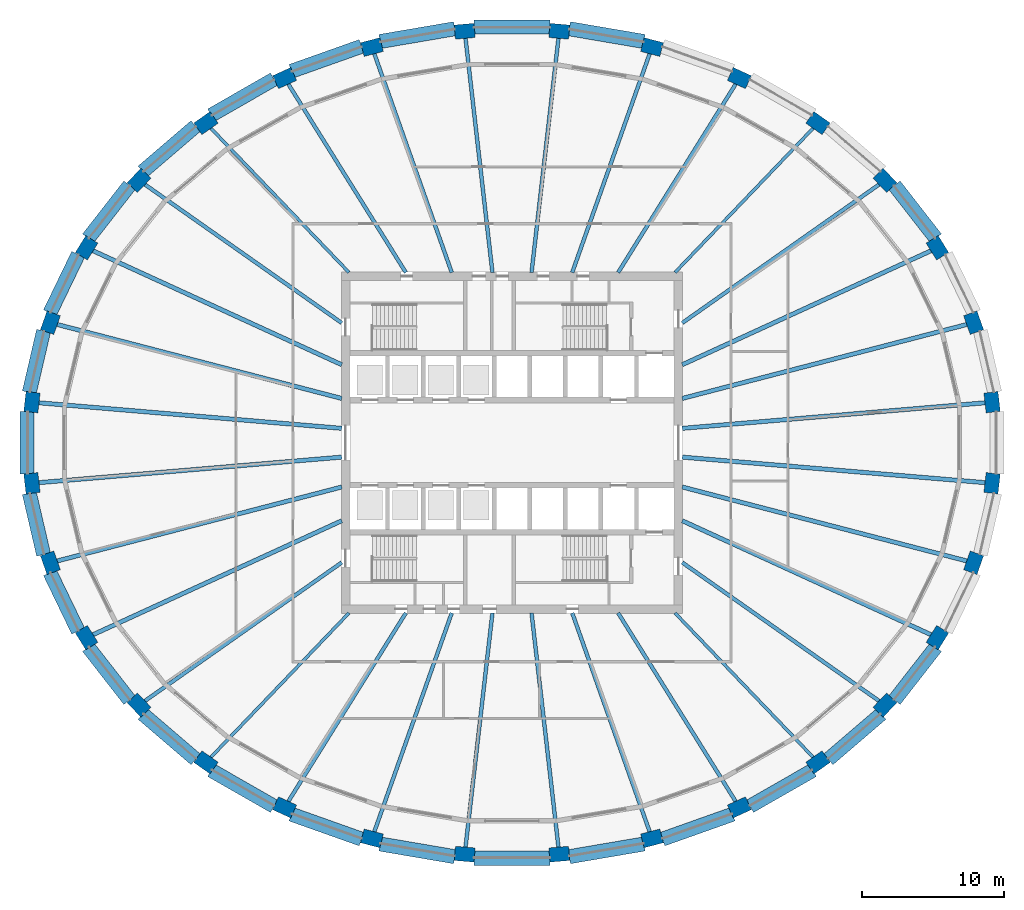
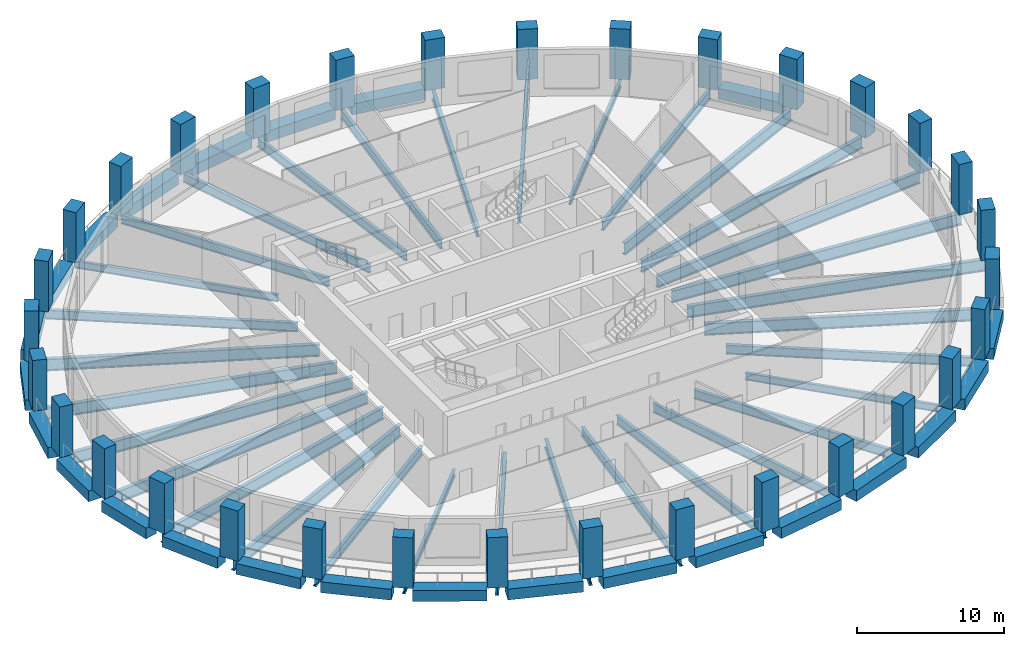
# One storey, part 1 of 11: 56 beams, 32 columns.
"""IFC4 building model written with IfcOpenShell, lengths in metres."""

from ifc_helpers import new_model, si_unit, direction, frame, origin, origin_2d, place, context, subcontext, project, spatial, rectangle, i_section, extrude, material, material_profile, profile_set, type_object, element, save


model = new_model("IFC4")

# Units and contexts
model_context = context("Model", 3, precision=1e-05, world=origin(), true_north=direction((0.0, 1.0)))
body_context = subcontext(model_context, "Body", "Model", "MODEL_VIEW")
ifc_project = project(units=[si_unit("LENGTHUNIT", "METRE"), si_unit("AREAUNIT", "SQUARE_METRE"), si_unit("VOLUMEUNIT", "CUBIC_METRE"), si_unit("PLANEANGLEUNIT", "RADIAN"), si_unit("MASSUNIT", "GRAM", prefix="KILO")], contexts=[model_context])

# Site, building, storey
site_placement = place(None, origin())
site = spatial("IfcSite", under=ifc_project, at=site_placement, CompositionType="ELEMENT")
building_placement = place(site_placement, origin())
building = spatial("IfcBuilding", under=site, at=building_placement, Name="Halqa Exchange Tower", CompositionType="ELEMENT")
storey_placement = place(building_placement, frame((0.0, 0.0, 150.699951171875)))
storey = spatial("IfcBuildingStorey", under=building, at=storey_placement, Name="L34", CompositionType="ELEMENT", Elevation=150.699951171875)

# Columns
ifc_material_1 = material(Name="Concrete C70/85", Category="concrete")
ifc_material_profile_1 = material_profile(ifc_material_1, rectangle(XDim=1.39990234375, YDim=1.0, at=origin_2d()), Name="1400 x 1000")
ifc_profile_set_1 = profile_set([ifc_material_profile_1], Name="Concrete C70/85")
column_type = type_object("IfcColumnType", Name="RC ring column 1400 x 1000 C70/85", PredefinedType="COLUMN", material=ifc_profile_set_1)
for number, where, z_axis, x_axis, name in (
    (1, (33.7578125, 2.849853515625, 0.0), (0.0, 0.0, 1.0), (-0.114155188058, 0.993462929877, 0.0), "Ring column 1"),
    (2, (32.46044921875, 8.440185546875, 0.0), (0.0, 0.0, 1.0), (-0.333634105554, 0.942702648565, 0.0), "Ring column 2"),
    (3, (29.915771484375, 13.7060546875, 0.0), (0.0, 0.0, 1.0), (-0.529143458197, 0.848532380435, 0.0), "Ring column 3"),
    (4, (26.221435546875, 18.445068359375, 0.0), (0.0, 0.0, 1.0), (-0.691578612608, 0.722301199351, 0.0), "Ring column 4"),
    (5, (21.519287109375, 22.475341796875, 0.0), (0.0, 0.0, 1.0), (-0.817910796357, 0.575345052297, 0.0), "Ring column 5"),
    (6, (15.990234375, 25.64208984375, 0.0), (0.0, 0.0, 1.0), (-0.909126368869, 0.416520402174, 0.0), "Ring column 6"),
    (7, (9.8466796875, 27.8232421875, 0.0), (0.0, 0.0, 1.0), (-0.967819503571, 0.251645402317, 0.0), "Ring column 7"),
    (8, (3.32470703125, 28.935302734375, 0.0), (0.0, 0.0, 1.0), (-0.996455225341, 0.084124811391, 0.0), "Ring column 8"),
    (9, (-3.32470703125, 28.935302734375, 0.0), (0.0, 0.0, 1.0), (-0.996455225341, -0.084124811391, 0.0), "Ring column 9"),
    (10, (-9.8466796875, 27.8232421875, 0.0), (0.0, 0.0, 1.0), (-0.967819503571, -0.251645402317, 0.0), "Ring column 10"),
    (11, (-15.990234375, 25.64208984375, 0.0), (0.0, 0.0, 1.0), (-0.909126368869, -0.416520402174, 0.0), "Ring column 11"),
    (12, (-21.519287109375, 22.475341796875, 0.0), (0.0, 0.0, 1.0), (-0.817910796357, -0.575345052297, 0.0), "Ring column 12"),
    (13, (-26.221435546875, 18.445068359375, 0.0), (0.0, 0.0, 1.0), (-0.691578612608, -0.722301199351, 0.0), "Ring column 13"),
    (14, (-29.915771484375, 13.7060546875, 0.0), (0.0, 0.0, 1.0), (-0.529143458197, -0.848532380435, 0.0), "Ring column 14"),
    (15, (-32.46044921875, 8.440185546875, 0.0), (0.0, 0.0, 1.0), (-0.333634105554, -0.942702648565, 0.0), "Ring column 15"),
    (16, (-33.7578125, 2.849853515625, 0.0), (0.0, 0.0, 1.0), (-0.114155188058, -0.993462929877, 0.0), "Ring column 16"),
    (17, (-33.7578125, -2.849853515625, 0.0), (0.0, 0.0, 1.0), (0.114155188058, -0.993462929877, 0.0), "Ring column 17"),
    (18, (-32.46044921875, -8.440185546875, 0.0), (0.0, 0.0, 1.0), (0.333634105554, -0.942702648565, 0.0), "Ring column 18"),
    (19, (-29.915771484375, -13.7060546875, 0.0), (0.0, 0.0, 1.0), (0.529143458197, -0.848532380435, 0.0), "Ring column 19"),
    (20, (-26.221435546875, -18.445068359375, 0.0), (0.0, 0.0, 1.0), (0.691578612608, -0.722301199351, 0.0), "Ring column 20"),
    (21, (-21.519287109375, -22.475341796875, 0.0), (0.0, 0.0, 1.0), (0.817910796357, -0.575345052297, 0.0), "Ring column 21"),
    (22, (-15.990234375, -25.64208984375, 0.0), (0.0, 0.0, 1.0), (0.909126368869, -0.416520402174, 0.0), "Ring column 22"),
    (23, (-9.8466796875, -27.8232421875, 0.0), (0.0, 0.0, 1.0), (0.967819503571, -0.251645402317, 0.0), "Ring column 23"),
    (24, (-3.32470703125, -28.935302734375, 0.0), (0.0, 0.0, 1.0), (0.996455225341, -0.084124811391, 0.0), "Ring column 24"),
    (25, (3.32470703125, -28.935302734375, 0.0), (0.0, 0.0, 1.0), (0.996455225341, 0.084124811391, 0.0), "Ring column 25"),
    (26, (9.8466796875, -27.8232421875, 0.0), (0.0, 0.0, 1.0), (0.967819503571, 0.251645402317, 0.0), "Ring column 26"),
    (27, (15.990234375, -25.64208984375, 0.0), (0.0, 0.0, 1.0), (0.909126368869, 0.416520402174, 0.0), "Ring column 27"),
    (28, (21.519287109375, -22.475341796875, 0.0), (0.0, 0.0, 1.0), (0.817910796357, 0.575345052297, 0.0), "Ring column 28"),
    (29, (26.221435546875, -18.445068359375, 0.0), (0.0, 0.0, 1.0), (0.691578612608, 0.722301199351, 0.0), "Ring column 29"),
    (30, (29.915771484375, -13.7060546875, 0.0), (0.0, 0.0, 1.0), (0.529143458197, 0.848532380435, 0.0), "Ring column 30"),
    (31, (32.46044921875, -8.440185546875, 0.0), (0.0, 0.0, 1.0), (0.333634105554, 0.942702648565, 0.0), "Ring column 31"),
    (32, (33.7578125, -2.849853515625, 0.0), (0.0, 0.0, 1.0), (0.114155188058, 0.993462929877, 0.0), "Ring column 32"),
):
    element("IfcColumn", number, at=place(storey_placement, frame(where, z_axis=z_axis, x_axis=x_axis)), inside=storey, type_object=column_type, Name=name, PredefinedType="COLUMN", context=body_context, shape_type="SweptSolid", body=[
        extrude(rectangle(XDim=1.39990234375, YDim=1.0, at=origin_2d()), origin(), (0.0, 0.0, 1.0), 4.199951171875),
    ])

# Beams
ifc_material_2 = material(Name="Steel S355", Category="steel")
ifc_material_profile_2 = material_profile(ifc_material_2, i_section(OverallWidth=0.300048828125, OverallDepth=0.989990234375, WebThickness=0.0166015625, FlangeThickness=0.031005859375, FilletRadius=0.030029296875, at=origin_2d()), Name="HEA 1000")
ifc_profile_set_2 = profile_set([ifc_material_profile_2], Name="Steel S355")
beam_type_1 = type_object("IfcBeamType", Name="Floor beam HEA 1000", PredefinedType="BEAM", material=ifc_profile_set_2)
beam_1_placement = place(storey_placement, frame((11.972412109375, 1.0107421875, -0.794921875), z_axis=(0.996455173749, 0.084125422484, 0.0), x_axis=(-0.084125422484, 0.996455173749, 0.0)))
element("IfcBeam", 33, at=beam_1_placement, inside=storey, type_object=beam_type_1, Name="Radial beam 1", PredefinedType="BEAM", context=body_context, shape_type="SweptSolid", body=[
    extrude(i_section(OverallWidth=0.300048828125, OverallDepth=0.989990234375, WebThickness=0.0166015625, FlangeThickness=0.031005859375, FilletRadius=0.030029296875, at=origin_2d()), origin(), (0.0, 0.0, 1.0), 21.83251953125),
])
beam_2_placement = place(storey_placement, frame((11.97119140625, 3.11279296875, -0.794921875), z_axis=(0.967820593748, 0.251641209498, 0.0), x_axis=(-0.251641209498, 0.967820593748, 0.0)))
element("IfcBeam", 34, at=beam_2_placement, inside=storey, type_object=beam_type_1, Name="Radial beam 2", PredefinedType="BEAM", context=body_context, shape_type="SweptSolid", body=[
    extrude(i_section(OverallWidth=0.300048828125, OverallDepth=0.989990234375, WebThickness=0.0166015625, FlangeThickness=0.031005859375, FilletRadius=0.030029296875, at=origin_2d()), origin(), (0.0, 0.0, 1.0), 21.134765625),
])
for number, where, z_axis, x_axis, name in (
    (35, (11.972412109375, 5.485107421875, -0.794921875), (0.909126053859, 0.416521089737, 0.0), (-0.416521089737, 0.909126053859, 0.0), "Radial beam 3"),
    (36, (-11.972412109375, 5.485107421875, -0.794921875), (-0.909126053859, 0.416521089737, 0.0), (-0.416521089737, -0.909126053859, 0.0), "Radial beam 14"),
):
    element("IfcBeam", number, at=place(storey_placement, frame(where, z_axis=z_axis, x_axis=x_axis)), inside=storey, type_object=beam_type_1, Name=name, PredefinedType="BEAM", context=body_context, shape_type="SweptSolid", body=[
        extrude(i_section(OverallWidth=0.300048828125, OverallDepth=0.989990234375, WebThickness=0.0166015625, FlangeThickness=0.031005859375, FilletRadius=0.030029296875, at=origin_2d()), origin(), (0.0, 0.0, 1.0), 19.692626953125),
    ])
beam_3_placement = place(storey_placement, frame((-11.97119140625, 3.11279296875, -0.794921875), z_axis=(-0.967820593748, 0.251641209498, 0.0), x_axis=(-0.251641209498, -0.967820593748, 0.0)))
element("IfcBeam", 37, at=beam_3_placement, inside=storey, type_object=beam_type_1, Name="Radial beam 15", PredefinedType="BEAM", context=body_context, shape_type="SweptSolid", body=[
    extrude(i_section(OverallWidth=0.300048828125, OverallDepth=0.989990234375, WebThickness=0.0166015625, FlangeThickness=0.031005859375, FilletRadius=0.030029296875, at=origin_2d()), origin(), (0.0, 0.0, 1.0), 21.134765625),
])
for number, where, z_axis, x_axis, name in (
    (38, (-11.972412109375, 1.0107421875, -0.794921875), (-0.996455173749, 0.084125422484, 0.0), (-0.084125422484, -0.996455173749, 0.0), "Radial beam 16"),
    (39, (-11.972412109375, -1.0107421875, -0.794921875), (-0.996455173749, -0.084125422484, 0.0), (0.084125422484, -0.996455173749, 0.0), "Radial beam 17"),
):
    element("IfcBeam", number, at=place(storey_placement, frame(where, z_axis=z_axis, x_axis=x_axis)), inside=storey, type_object=beam_type_1, Name=name, PredefinedType="BEAM", context=body_context, shape_type="SweptSolid", body=[
        extrude(i_section(OverallWidth=0.300048828125, OverallDepth=0.989990234375, WebThickness=0.0166015625, FlangeThickness=0.031005859375, FilletRadius=0.030029296875, at=origin_2d()), origin(), (0.0, 0.0, 1.0), 21.83251953125),
    ])
beam_4_placement = place(storey_placement, frame((-11.97119140625, -3.11279296875, -0.794921875), z_axis=(-0.967820593748, -0.251641209498, 0.0), x_axis=(0.251641209498, -0.967820593748, 0.0)))
element("IfcBeam", 40, at=beam_4_placement, inside=storey, type_object=beam_type_1, Name="Radial beam 18", PredefinedType="BEAM", context=body_context, shape_type="SweptSolid", body=[
    extrude(i_section(OverallWidth=0.300048828125, OverallDepth=0.989990234375, WebThickness=0.0166015625, FlangeThickness=0.031005859375, FilletRadius=0.030029296875, at=origin_2d()), origin(), (0.0, 0.0, 1.0), 21.134765625),
])
for number, where, z_axis, x_axis, name in (
    (41, (-11.972412109375, -5.485107421875, -0.794921875), (-0.909126053859, -0.416521089737, 0.0), (0.416521089737, -0.909126053859, 0.0), "Radial beam 19"),
    (42, (11.972412109375, -5.485107421875, -0.794921875), (0.909126053859, -0.416521089737, 0.0), (0.416521089737, 0.909126053859, 0.0), "Radial beam 30"),
):
    element("IfcBeam", number, at=place(storey_placement, frame(where, z_axis=z_axis, x_axis=x_axis)), inside=storey, type_object=beam_type_1, Name=name, PredefinedType="BEAM", context=body_context, shape_type="SweptSolid", body=[
        extrude(i_section(OverallWidth=0.300048828125, OverallDepth=0.989990234375, WebThickness=0.0166015625, FlangeThickness=0.031005859375, FilletRadius=0.030029296875, at=origin_2d()), origin(), (0.0, 0.0, 1.0), 19.692626953125),
    ])
beam_5_placement = place(storey_placement, frame((11.97119140625, -3.11279296875, -0.794921875), z_axis=(0.967820593748, -0.251641209498, 0.0), x_axis=(0.251641209498, 0.967820593748, 0.0)))
element("IfcBeam", 43, at=beam_5_placement, inside=storey, type_object=beam_type_1, Name="Radial beam 31", PredefinedType="BEAM", context=body_context, shape_type="SweptSolid", body=[
    extrude(i_section(OverallWidth=0.300048828125, OverallDepth=0.989990234375, WebThickness=0.0166015625, FlangeThickness=0.031005859375, FilletRadius=0.030029296875, at=origin_2d()), origin(), (0.0, 0.0, 1.0), 21.134765625),
])
beam_6_placement = place(storey_placement, frame((11.972412109375, -1.0107421875, -0.794921875), z_axis=(0.996455173749, -0.084125422484, 0.0), x_axis=(0.084125422484, 0.996455173749, 0.0)))
element("IfcBeam", 44, at=beam_6_placement, inside=storey, type_object=beam_type_1, Name="Radial beam 32", PredefinedType="BEAM", context=body_context, shape_type="SweptSolid", body=[
    extrude(i_section(OverallWidth=0.300048828125, OverallDepth=0.989990234375, WebThickness=0.0166015625, FlangeThickness=0.031005859375, FilletRadius=0.030029296875, at=origin_2d()), origin(), (0.0, 0.0, 1.0), 21.83251953125),
])
ifc_material_profile_3 = material_profile(ifc_material_2, i_section(OverallWidth=0.219970703125, OverallDepth=0.60009765625, WebThickness=0.011962890625, FlangeThickness=0.01904296875, FilletRadius=0.02392578125, at=origin_2d()), Name="IPE 600")
ifc_profile_set_3 = profile_set([ifc_material_profile_3], Name="Steel S355")
beam_type_2 = type_object("IfcBeamType", Name="Floor beam IPE 600", PredefinedType="BEAM", material=ifc_profile_set_3)
for number, where, z_axis, x_axis, name in (
    (45, (11.463134765625, 11.972412109375, -0.599853515625), (0.69157018889, 0.722309264677, 0.0), (-0.722309264677, 0.69157018889, 0.0), "Radial beam 5"),
    (46, (-11.463134765625, 11.972412109375, -0.599853515625), (-0.69157018889, 0.722309264677, 0.0), (-0.722309264677, -0.69157018889, 0.0), "Radial beam 12"),
    (47, (-11.463134765625, -11.972412109375, -0.599853515625), (-0.69157018889, -0.722309264677, 0.0), (0.722309264677, -0.69157018889, 0.0), "Radial beam 21"),
    (48, (11.463134765625, -11.972412109375, -0.599853515625), (0.69157018889, -0.722309264677, 0.0), (0.722309264677, 0.69157018889, 0.0), "Radial beam 28"),
):
    element("IfcBeam", number, at=place(storey_placement, frame(where, z_axis=z_axis, x_axis=x_axis)), inside=storey, type_object=beam_type_2, Name=name, PredefinedType="BEAM", context=body_context, shape_type="SweptSolid", body=[
        extrude(i_section(OverallWidth=0.219970703125, OverallDepth=0.60009765625, WebThickness=0.011962890625, FlangeThickness=0.01904296875, FilletRadius=0.02392578125, at=origin_2d()), origin(), (0.0, 0.0, 1.0), 14.47900390625),
    ])
ifc_material_profile_4 = material_profile(ifc_material_2, i_section(OverallWidth=0.264892578125, OverallDepth=0.7529296875, WebThickness=0.01318359375, FlangeThickness=0.01708984375, FilletRadius=0.01708984375, at=origin_2d()), Name="IPE 750x147")
ifc_profile_set_4 = profile_set([ifc_material_profile_4], Name="Steel S355")
beam_type_3 = type_object("IfcBeamType", Name="Floor beam IPE 750x147", PredefinedType="BEAM", material=ifc_profile_set_4)
beam_7_placement = place(storey_placement, frame((11.97216796875, 8.421630859375, -0.676513671875), z_axis=(0.81790637414, 0.575351338872, 0.0), x_axis=(-0.575351338872, 0.81790637414, 0.0)))
element("IfcBeam", 49, at=beam_7_placement, inside=storey, type_object=beam_type_3, Name="Radial beam 4", PredefinedType="BEAM", context=body_context, shape_type="SweptSolid", body=[
    extrude(i_section(OverallWidth=0.264892578125, OverallDepth=0.7529296875, WebThickness=0.01318359375, FlangeThickness=0.01708984375, FilletRadius=0.01708984375, at=origin_2d()), origin(), (0.0, 0.0, 1.0), 17.368896484375),
])
beam_8_placement = place(storey_placement, frame((7.466064453125, 11.972412109375, -0.676513671875), z_axis=(0.52913391478, 0.848538331621, 0.0), x_axis=(-0.848538331621, 0.52913391478, 0.0)))
element("IfcBeam", 50, at=beam_8_placement, inside=storey, type_object=beam_type_3, Name="Radial beam 6", PredefinedType="BEAM", context=body_context, shape_type="SweptSolid", body=[
    extrude(i_section(OverallWidth=0.264892578125, OverallDepth=0.7529296875, WebThickness=0.01318359375, FlangeThickness=0.01708984375, FilletRadius=0.01708984375, at=origin_2d()), origin(), (0.0, 0.0, 1.0), 16.03857421875),
])
beam_9_placement = place(storey_placement, frame((4.23681640625, 11.9716796875, -0.676513671875), z_axis=(0.333628705168, 0.942704559811, 0.0), x_axis=(-0.942704559811, 0.333628705168, 0.0)))
element("IfcBeam", 51, at=beam_9_placement, inside=storey, type_object=beam_type_3, Name="Radial beam 7", PredefinedType="BEAM", context=body_context, shape_type="SweptSolid", body=[
    extrude(i_section(OverallWidth=0.264892578125, OverallDepth=0.7529296875, WebThickness=0.01318359375, FlangeThickness=0.01708984375, FilletRadius=0.01708984375, at=origin_2d()), origin(), (0.0, 0.0, 1.0), 16.738525390625),
])
for number, where, z_axis, x_axis, name in (
    (52, (1.375732421875, 11.972900390625, -0.676513671875), (0.114157917427, 0.993462616251, 0.0), (-0.993462616251, 0.114157917427, 0.0), "Radial beam 8"),
    (53, (-1.375732421875, 11.972900390625, -0.676513671875), (-0.114157917427, 0.993462616251, 0.0), (-0.993462616251, -0.114157917427, 0.0), "Radial beam 9"),
):
    element("IfcBeam", number, at=place(storey_placement, frame(where, z_axis=z_axis, x_axis=x_axis)), inside=storey, type_object=beam_type_3, Name=name, PredefinedType="BEAM", context=body_context, shape_type="SweptSolid", body=[
        extrude(i_section(OverallWidth=0.264892578125, OverallDepth=0.7529296875, WebThickness=0.01318359375, FlangeThickness=0.01708984375, FilletRadius=0.01708984375, at=origin_2d()), origin(), (0.0, 0.0, 1.0), 16.99560546875),
    ])
beam_10_placement = place(storey_placement, frame((-4.23681640625, 11.9716796875, -0.676513671875), z_axis=(-0.333628705168, 0.942704559811, 0.0), x_axis=(-0.942704559811, -0.333628705168, 0.0)))
element("IfcBeam", 54, at=beam_10_placement, inside=storey, type_object=beam_type_3, Name="Radial beam 10", PredefinedType="BEAM", context=body_context, shape_type="SweptSolid", body=[
    extrude(i_section(OverallWidth=0.264892578125, OverallDepth=0.7529296875, WebThickness=0.01318359375, FlangeThickness=0.01708984375, FilletRadius=0.01708984375, at=origin_2d()), origin(), (0.0, 0.0, 1.0), 16.738525390625),
])
beam_11_placement = place(storey_placement, frame((-7.466064453125, 11.972412109375, -0.676513671875), z_axis=(-0.52913391478, 0.848538331621, 0.0), x_axis=(-0.848538331621, -0.52913391478, 0.0)))
element("IfcBeam", 55, at=beam_11_placement, inside=storey, type_object=beam_type_3, Name="Radial beam 11", PredefinedType="BEAM", context=body_context, shape_type="SweptSolid", body=[
    extrude(i_section(OverallWidth=0.264892578125, OverallDepth=0.7529296875, WebThickness=0.01318359375, FlangeThickness=0.01708984375, FilletRadius=0.01708984375, at=origin_2d()), origin(), (0.0, 0.0, 1.0), 16.03857421875),
])
for number, where, z_axis, x_axis, name in (
    (56, (-11.97216796875, 8.421630859375, -0.676513671875), (-0.81790637414, 0.575351338872, 0.0), (-0.575351338872, -0.81790637414, 0.0), "Radial beam 13"),
    (57, (-11.97216796875, -8.421630859375, -0.676513671875), (-0.81790637414, -0.575351338872, 0.0), (0.575351338872, -0.81790637414, 0.0), "Radial beam 20"),
):
    element("IfcBeam", number, at=place(storey_placement, frame(where, z_axis=z_axis, x_axis=x_axis)), inside=storey, type_object=beam_type_3, Name=name, PredefinedType="BEAM", context=body_context, shape_type="SweptSolid", body=[
        extrude(i_section(OverallWidth=0.264892578125, OverallDepth=0.7529296875, WebThickness=0.01318359375, FlangeThickness=0.01708984375, FilletRadius=0.01708984375, at=origin_2d()), origin(), (0.0, 0.0, 1.0), 17.368896484375),
    ])
beam_12_placement = place(storey_placement, frame((-7.466064453125, -11.972412109375, -0.676513671875), z_axis=(-0.52913391478, -0.848538331621, 0.0), x_axis=(0.848538331621, -0.52913391478, 0.0)))
element("IfcBeam", 58, at=beam_12_placement, inside=storey, type_object=beam_type_3, Name="Radial beam 22", PredefinedType="BEAM", context=body_context, shape_type="SweptSolid", body=[
    extrude(i_section(OverallWidth=0.264892578125, OverallDepth=0.7529296875, WebThickness=0.01318359375, FlangeThickness=0.01708984375, FilletRadius=0.01708984375, at=origin_2d()), origin(), (0.0, 0.0, 1.0), 16.03857421875),
])
beam_13_placement = place(storey_placement, frame((-4.23681640625, -11.9716796875, -0.676513671875), z_axis=(-0.333628705168, -0.942704559811, 0.0), x_axis=(0.942704559811, -0.333628705168, 0.0)))
element("IfcBeam", 59, at=beam_13_placement, inside=storey, type_object=beam_type_3, Name="Radial beam 23", PredefinedType="BEAM", context=body_context, shape_type="SweptSolid", body=[
    extrude(i_section(OverallWidth=0.264892578125, OverallDepth=0.7529296875, WebThickness=0.01318359375, FlangeThickness=0.01708984375, FilletRadius=0.01708984375, at=origin_2d()), origin(), (0.0, 0.0, 1.0), 16.738525390625),
])
for number, where, z_axis, x_axis, name in (
    (60, (-1.375732421875, -11.972900390625, -0.676513671875), (-0.114157917427, -0.993462616251, 0.0), (0.993462616251, -0.114157917427, 0.0), "Radial beam 24"),
    (61, (1.375732421875, -11.972900390625, -0.676513671875), (0.114157917427, -0.993462616251, 0.0), (0.993462616251, 0.114157917427, 0.0), "Radial beam 25"),
):
    element("IfcBeam", number, at=place(storey_placement, frame(where, z_axis=z_axis, x_axis=x_axis)), inside=storey, type_object=beam_type_3, Name=name, PredefinedType="BEAM", context=body_context, shape_type="SweptSolid", body=[
        extrude(i_section(OverallWidth=0.264892578125, OverallDepth=0.7529296875, WebThickness=0.01318359375, FlangeThickness=0.01708984375, FilletRadius=0.01708984375, at=origin_2d()), origin(), (0.0, 0.0, 1.0), 16.99560546875),
    ])
beam_14_placement = place(storey_placement, frame((4.23681640625, -11.9716796875, -0.676513671875), z_axis=(0.333628705168, -0.942704559811, 0.0), x_axis=(0.942704559811, 0.333628705168, 0.0)))
element("IfcBeam", 62, at=beam_14_placement, inside=storey, type_object=beam_type_3, Name="Radial beam 26", PredefinedType="BEAM", context=body_context, shape_type="SweptSolid", body=[
    extrude(i_section(OverallWidth=0.264892578125, OverallDepth=0.7529296875, WebThickness=0.01318359375, FlangeThickness=0.01708984375, FilletRadius=0.01708984375, at=origin_2d()), origin(), (0.0, 0.0, 1.0), 16.738525390625),
])
beam_15_placement = place(storey_placement, frame((7.466064453125, -11.972412109375, -0.676513671875), z_axis=(0.52913391478, -0.848538331621, 0.0), x_axis=(0.848538331621, 0.52913391478, 0.0)))
element("IfcBeam", 63, at=beam_15_placement, inside=storey, type_object=beam_type_3, Name="Radial beam 27", PredefinedType="BEAM", context=body_context, shape_type="SweptSolid", body=[
    extrude(i_section(OverallWidth=0.264892578125, OverallDepth=0.7529296875, WebThickness=0.01318359375, FlangeThickness=0.01708984375, FilletRadius=0.01708984375, at=origin_2d()), origin(), (0.0, 0.0, 1.0), 16.03857421875),
])
beam_16_placement = place(storey_placement, frame((11.97216796875, -8.421630859375, -0.676513671875), z_axis=(0.81790637414, -0.575351338872, 0.0), x_axis=(0.575351338872, 0.81790637414, 0.0)))
element("IfcBeam", 64, at=beam_16_placement, inside=storey, type_object=beam_type_3, Name="Radial beam 29", PredefinedType="BEAM", context=body_context, shape_type="SweptSolid", body=[
    extrude(i_section(OverallWidth=0.264892578125, OverallDepth=0.7529296875, WebThickness=0.01318359375, FlangeThickness=0.01708984375, FilletRadius=0.01708984375, at=origin_2d()), origin(), (0.0, 0.0, 1.0), 17.368896484375),
])
ifc_material_3 = material(Name="Concrete C60/75", Category="concrete")
ifc_material_profile_5 = material_profile(ifc_material_3, rectangle(XDim=1.0, YDim=0.89990234375, at=origin_2d()), Name="1000 x 900")
ifc_profile_set_5 = profile_set([ifc_material_profile_5], Name="Concrete C60/75")
beam_type_4 = type_object("IfcBeamType", Name="RC spandrel beam 1000 x 900 C60/75", PredefinedType="SPANDREL", material=ifc_profile_set_5)
beam_17_placement = place(storey_placement, frame((29.802001953125, 14.377197265625, -0.449951171875), z_axis=(-0.614803403502, 0.788680401076, 0.0), x_axis=(-0.788680401076, -0.614803403502, 0.0)))
element("IfcBeam", 65, at=beam_17_placement, inside=storey, type_object=beam_type_4, Name="Spandrel 3", PredefinedType="SPANDREL", context=body_context, shape_type="SweptSolid", body=[
    extrude(rectangle(XDim=1.0, YDim=0.89990234375, at=origin_2d()), origin(), (0.0, 0.0, 1.0), 4.71923828125),
])
beam_18_placement = place(storey_placement, frame((9.281982421875, 28.217041015625, -0.449951171875), z_axis=(-0.985773443598, 0.168079498741, 0.0), x_axis=(-0.168079498741, -0.985773443598, 0.0)))
element("IfcBeam", 66, at=beam_18_placement, inside=storey, type_object=beam_type_4, Name="Spandrel 7", PredefinedType="SPANDREL", context=body_context, shape_type="SweptSolid", body=[
    extrude(rectangle(XDim=1.0, YDim=0.89990234375, at=origin_2d()), origin(), (0.0, 0.0, 1.0), 5.333740234375),
])
beam_19_placement = place(storey_placement, frame((2.68310546875, 29.22705078125, -0.449951171875), z_axis=(-1.0, 0.0, 0.0), x_axis=(0.0, -1.0, 0.0)))
element("IfcBeam", 67, at=beam_19_placement, inside=storey, type_object=beam_type_4, Name="Spandrel 8", PredefinedType="SPANDREL", context=body_context, shape_type="SweptSolid", body=[
    extrude(rectangle(XDim=1.0, YDim=0.89990234375, at=origin_2d()), origin(), (0.0, 0.0, 1.0), 5.3662109375),
])
beam_20_placement = place(storey_placement, frame((-4.024169921875, 29.113525390625, -0.449951171875), z_axis=(-0.985773443598, -0.168079498741, 0.0), x_axis=(0.168079498741, -0.985773443598, 0.0)))
element("IfcBeam", 68, at=beam_20_placement, inside=storey, type_object=beam_type_4, Name="Spandrel 9", PredefinedType="SPANDREL", context=body_context, shape_type="SweptSolid", body=[
    extrude(rectangle(XDim=1.0, YDim=0.89990234375, at=origin_2d()), origin(), (0.0, 0.0, 1.0), 5.333740234375),
])
beam_21_placement = place(storey_placement, frame((-10.58154296875, 27.87841796875, -0.449951171875), z_axis=(-0.942353294541, -0.334619587393, 0.0), x_axis=(0.334619587393, -0.942353294541, 0.0)))
element("IfcBeam", 69, at=beam_21_placement, inside=storey, type_object=beam_type_4, Name="Spandrel 10", PredefinedType="SPANDREL", context=body_context, shape_type="SweptSolid", body=[
    extrude(rectangle(XDim=1.0, YDim=0.89990234375, at=origin_2d()), origin(), (0.0, 0.0, 1.0), 5.235595703125),
])
beam_22_placement = place(storey_placement, frame((-16.736328125, 25.56591796875, -0.449951171875), z_axis=(-0.867746542686, -0.497006979484, 0.0), x_axis=(0.497006979484, -0.867746542686, 0.0)))
element("IfcBeam", 70, at=beam_22_placement, inside=storey, type_object=beam_type_4, Name="Spandrel 11", PredefinedType="SPANDREL", context=body_context, shape_type="SweptSolid", body=[
    extrude(rectangle(XDim=1.0, YDim=0.89990234375, at=origin_2d()), origin(), (0.0, 0.0, 1.0), 5.087158203125),
])
beam_23_placement = place(storey_placement, frame((-22.248046875, 22.263427734375, -0.449951171875), z_axis=(-0.759267140772, -0.650779078447, 0.0), x_axis=(0.650779078447, -0.759267140772, 0.0)))
element("IfcBeam", 71, at=beam_23_placement, inside=storey, type_object=beam_type_4, Name="Spandrel 12", PredefinedType="SPANDREL", context=body_context, shape_type="SweptSolid", body=[
    extrude(rectangle(XDim=1.0, YDim=0.89990234375, at=origin_2d()), origin(), (0.0, 0.0, 1.0), 4.90576171875),
])
beam_24_placement = place(storey_placement, frame((-26.900634765625, 18.09912109375, -0.449951171875), z_axis=(-0.614803403502, -0.788680401076, 0.0), x_axis=(0.788680401076, -0.614803403502, 0.0)))
element("IfcBeam", 72, at=beam_24_placement, inside=storey, type_object=beam_type_4, Name="Spandrel 13", PredefinedType="SPANDREL", context=body_context, shape_type="SweptSolid", body=[
    extrude(rectangle(XDim=1.0, YDim=0.89990234375, at=origin_2d()), origin(), (0.0, 0.0, 1.0), 4.71923828125),
])
beam_25_placement = place(storey_placement, frame((-30.510986328125, 13.236328125, -0.449951171875), z_axis=(-0.435149114215, -0.900358399971, 0.0), x_axis=(0.900358399971, -0.435149114215, 0.0)))
element("IfcBeam", 73, at=beam_25_placement, inside=storey, type_object=beam_type_4, Name="Spandrel 14", PredefinedType="SPANDREL", context=body_context, shape_type="SweptSolid", body=[
    extrude(rectangle(XDim=1.0, YDim=0.89990234375, at=origin_2d()), origin(), (0.0, 0.0, 1.0), 4.556396484375),
])
beam_26_placement = place(storey_placement, frame((-32.94091796875, 7.86572265625, -0.449951171875), z_axis=(-0.226018930152, -0.974122909705, 0.0), x_axis=(0.974122909705, -0.226018930152, 0.0)))
element("IfcBeam", 74, at=beam_26_placement, inside=storey, type_object=beam_type_4, Name="Spandrel 15", PredefinedType="SPANDREL", context=body_context, shape_type="SweptSolid", body=[
    extrude(rectangle(XDim=1.0, YDim=0.89990234375, at=origin_2d()), origin(), (0.0, 0.0, 1.0), 4.44384765625),
])
beam_27_placement = place(storey_placement, frame((-34.09814453125, 2.20263671875, -0.449951171875), z_axis=(0.0, -1.0, 0.0), x_axis=(1.0, 0.0, 0.0)))
element("IfcBeam", 75, at=beam_27_placement, inside=storey, type_object=beam_type_4, Name="Spandrel 16", PredefinedType="SPANDREL", context=body_context, shape_type="SweptSolid", body=[
    extrude(rectangle(XDim=1.0, YDim=0.89990234375, at=origin_2d()), origin(), (0.0, 0.0, 1.0), 4.4052734375),
])
beam_28_placement = place(storey_placement, frame((-33.9453125, -3.536865234375, -0.449951171875), z_axis=(0.226018930152, -0.974122909705, 0.0), x_axis=(0.974122909705, 0.226018930152, 0.0)))
element("IfcBeam", 76, at=beam_28_placement, inside=storey, type_object=beam_type_4, Name="Spandrel 17", PredefinedType="SPANDREL", context=body_context, shape_type="SweptSolid", body=[
    extrude(rectangle(XDim=1.0, YDim=0.89990234375, at=origin_2d()), origin(), (0.0, 0.0, 1.0), 4.44384765625),
])
beam_29_placement = place(storey_placement, frame((-32.49365234375, -9.134033203125, -0.449951171875), z_axis=(0.435149114215, -0.900358399971, 0.0), x_axis=(0.900358399971, 0.435149114215, 0.0)))
element("IfcBeam", 77, at=beam_29_placement, inside=storey, type_object=beam_type_4, Name="Spandrel 18", PredefinedType="SPANDREL", context=body_context, shape_type="SweptSolid", body=[
    extrude(rectangle(XDim=1.0, YDim=0.89990234375, at=origin_2d()), origin(), (0.0, 0.0, 1.0), 4.556396484375),
])
beam_30_placement = place(storey_placement, frame((-29.802001953125, -14.377197265625, -0.449951171875), z_axis=(0.614803403502, -0.788680401076, 0.0), x_axis=(0.788680401076, 0.614803403502, 0.0)))
element("IfcBeam", 78, at=beam_30_placement, inside=storey, type_object=beam_type_4, Name="Spandrel 19", PredefinedType="SPANDREL", context=body_context, shape_type="SweptSolid", body=[
    extrude(rectangle(XDim=1.0, YDim=0.89990234375, at=origin_2d()), origin(), (0.0, 0.0, 1.0), 4.71923828125),
])
beam_31_placement = place(storey_placement, frame((-25.972900390625, -19.07080078125, -0.449951171875), z_axis=(0.759267140772, -0.650779078447, 0.0), x_axis=(0.650779078447, 0.759267140772, 0.0)))
element("IfcBeam", 79, at=beam_31_placement, inside=storey, type_object=beam_type_4, Name="Spandrel 20", PredefinedType="SPANDREL", context=body_context, shape_type="SweptSolid", body=[
    extrude(rectangle(XDim=1.0, YDim=0.89990234375, at=origin_2d()), origin(), (0.0, 0.0, 1.0), 4.90576171875),
])
beam_32_placement = place(storey_placement, frame((-21.150634765625, -23.03759765625, -0.449951171875), z_axis=(0.867746542686, -0.497006979484, 0.0), x_axis=(0.497006979484, 0.867746542686, 0.0)))
element("IfcBeam", 80, at=beam_32_placement, inside=storey, type_object=beam_type_4, Name="Spandrel 21", PredefinedType="SPANDREL", context=body_context, shape_type="SweptSolid", body=[
    extrude(rectangle(XDim=1.0, YDim=0.89990234375, at=origin_2d()), origin(), (0.0, 0.0, 1.0), 5.087158203125),
])
beam_33_placement = place(storey_placement, frame((-15.515380859375, -26.12646484375, -0.449951171875), z_axis=(0.942353294541, -0.334619587393, 0.0), x_axis=(0.334619587393, 0.942353294541, 0.0)))
element("IfcBeam", 81, at=beam_33_placement, inside=storey, type_object=beam_type_4, Name="Spandrel 22", PredefinedType="SPANDREL", context=body_context, shape_type="SweptSolid", body=[
    extrude(rectangle(XDim=1.0, YDim=0.89990234375, at=origin_2d()), origin(), (0.0, 0.0, 1.0), 5.235595703125),
])
beam_34_placement = place(storey_placement, frame((-9.281982421875, -28.217041015625, -0.449951171875), z_axis=(0.985773443598, -0.168079498741, 0.0), x_axis=(0.168079498741, 0.985773443598, 0.0)))
element("IfcBeam", 82, at=beam_34_placement, inside=storey, type_object=beam_type_4, Name="Spandrel 23", PredefinedType="SPANDREL", context=body_context, shape_type="SweptSolid", body=[
    extrude(rectangle(XDim=1.0, YDim=0.89990234375, at=origin_2d()), origin(), (0.0, 0.0, 1.0), 5.333740234375),
])
beam_35_placement = place(storey_placement, frame((-2.68310546875, -29.22705078125, -0.449951171875), z_axis=(1.0, 0.0, 0.0), x_axis=(0.0, 1.0, 0.0)))
element("IfcBeam", 83, at=beam_35_placement, inside=storey, type_object=beam_type_4, Name="Spandrel 24", PredefinedType="SPANDREL", context=body_context, shape_type="SweptSolid", body=[
    extrude(rectangle(XDim=1.0, YDim=0.89990234375, at=origin_2d()), origin(), (0.0, 0.0, 1.0), 5.3662109375),
])
beam_36_placement = place(storey_placement, frame((4.024169921875, -29.113525390625, -0.449951171875), z_axis=(0.985773443598, 0.168079498741, 0.0), x_axis=(-0.168079498741, 0.985773443598, 0.0)))
element("IfcBeam", 84, at=beam_36_placement, inside=storey, type_object=beam_type_4, Name="Spandrel 25", PredefinedType="SPANDREL", context=body_context, shape_type="SweptSolid", body=[
    extrude(rectangle(XDim=1.0, YDim=0.89990234375, at=origin_2d()), origin(), (0.0, 0.0, 1.0), 5.333740234375),
])
beam_37_placement = place(storey_placement, frame((10.58154296875, -27.87841796875, -0.449951171875), z_axis=(0.942353294541, 0.334619587393, 0.0), x_axis=(-0.334619587393, 0.942353294541, 0.0)))
element("IfcBeam", 85, at=beam_37_placement, inside=storey, type_object=beam_type_4, Name="Spandrel 26", PredefinedType="SPANDREL", context=body_context, shape_type="SweptSolid", body=[
    extrude(rectangle(XDim=1.0, YDim=0.89990234375, at=origin_2d()), origin(), (0.0, 0.0, 1.0), 5.235595703125),
])
beam_38_placement = place(storey_placement, frame((16.736328125, -25.56591796875, -0.449951171875), z_axis=(0.867746542686, 0.497006979484, 0.0), x_axis=(-0.497006979484, 0.867746542686, 0.0)))
element("IfcBeam", 86, at=beam_38_placement, inside=storey, type_object=beam_type_4, Name="Spandrel 27", PredefinedType="SPANDREL", context=body_context, shape_type="SweptSolid", body=[
    extrude(rectangle(XDim=1.0, YDim=0.89990234375, at=origin_2d()), origin(), (0.0, 0.0, 1.0), 5.087158203125),
])
beam_39_placement = place(storey_placement, frame((22.248046875, -22.263427734375, -0.449951171875), z_axis=(0.759267140772, 0.650779078447, 0.0), x_axis=(-0.650779078447, 0.759267140772, 0.0)))
element("IfcBeam", 87, at=beam_39_placement, inside=storey, type_object=beam_type_4, Name="Spandrel 28", PredefinedType="SPANDREL", context=body_context, shape_type="SweptSolid", body=[
    extrude(rectangle(XDim=1.0, YDim=0.89990234375, at=origin_2d()), origin(), (0.0, 0.0, 1.0), 4.90576171875),
])
beam_40_placement = place(storey_placement, frame((26.900634765625, -18.09912109375, -0.449951171875), z_axis=(0.614803403502, 0.788680401076, 0.0), x_axis=(-0.788680401076, 0.614803403502, 0.0)))
element("IfcBeam", 88, at=beam_40_placement, inside=storey, type_object=beam_type_4, Name="Spandrel 29", PredefinedType="SPANDREL", context=body_context, shape_type="SweptSolid", body=[
    extrude(rectangle(XDim=1.0, YDim=0.89990234375, at=origin_2d()), origin(), (0.0, 0.0, 1.0), 4.71923828125),
])

save(model, "model.ifc")
